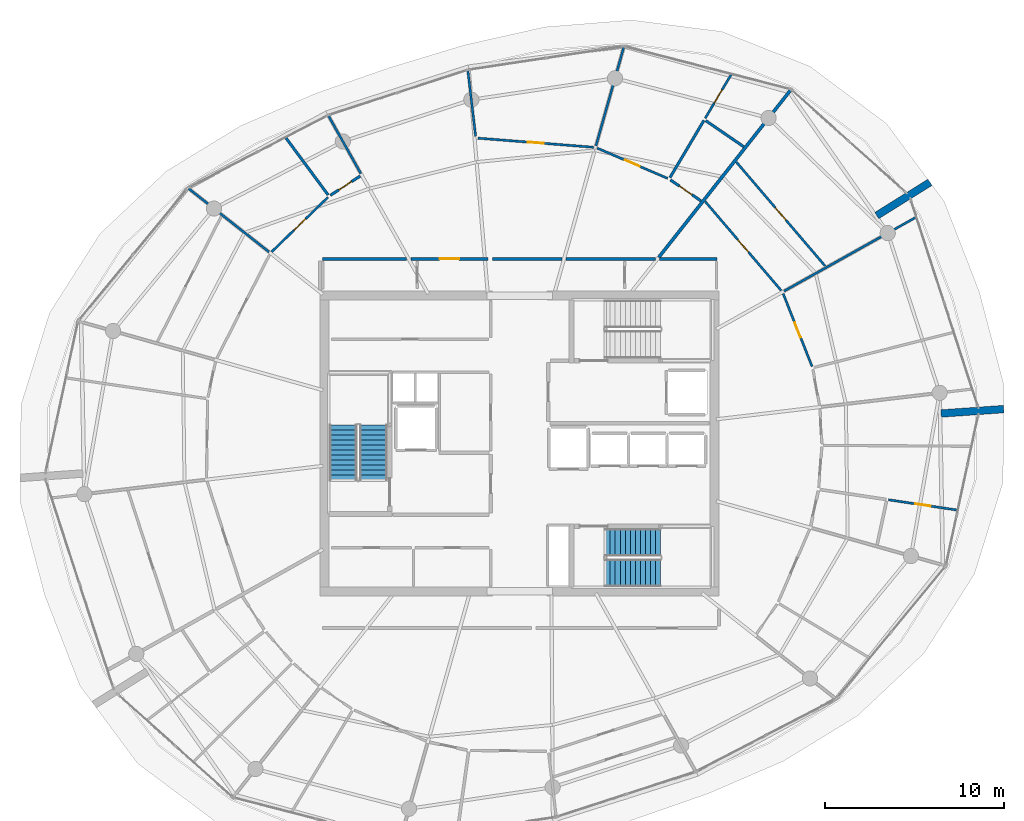
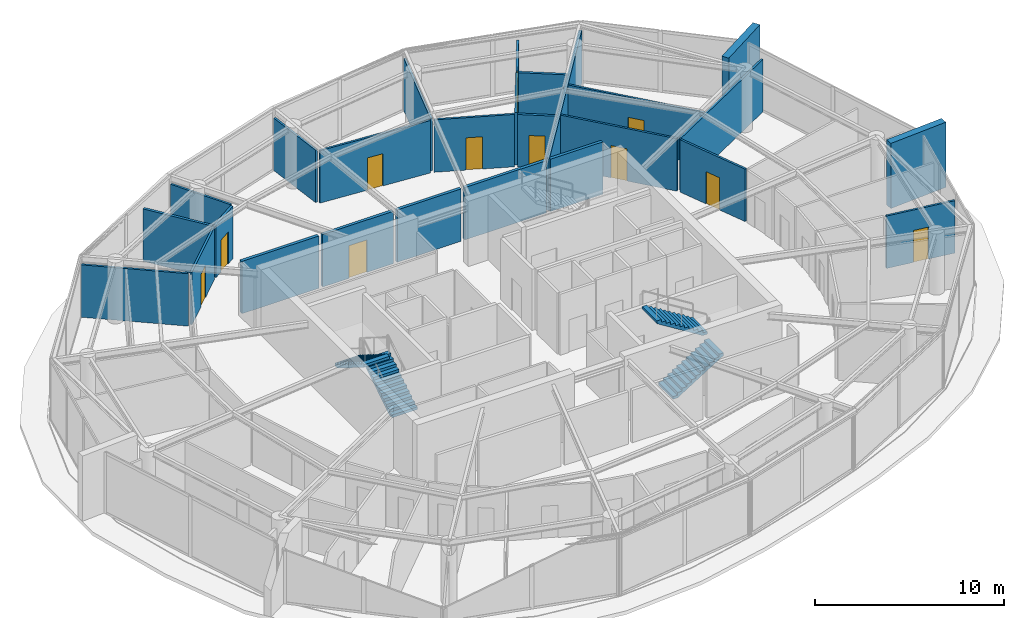
# One storey, part 14 of 16: 26 walls, 11 doors, 4 stair flights, 11 openings, 2 elements without a shape of their own.
"""IFC4 building model written with IfcOpenShell, lengths in metres."""

from ifc_helpers import new_model, si_unit, direction, frame, frame_2d, origin, place, context, subcontext, project, spatial, polyline, rectangle, outline, extrude, material, layer, layer_set, type_object, element, fill, aggregate, save


model = new_model("IFC4")

# Units and contexts
model_context = context("Model", 3, precision=1e-05, world=origin(), true_north=direction((0.0, 1.0)))
body_context = subcontext(model_context, "Body", "Model", "MODEL_VIEW")
ifc_project = project(units=[si_unit("LENGTHUNIT", "METRE"), si_unit("AREAUNIT", "SQUARE_METRE"), si_unit("VOLUMEUNIT", "CUBIC_METRE"), si_unit("PLANEANGLEUNIT", "RADIAN"), si_unit("MASSUNIT", "GRAM", prefix="KILO")], contexts=[model_context])

# Site, building, storey
site_placement = place(None, origin())
site = spatial("IfcSite", under=ifc_project, at=site_placement, CompositionType="ELEMENT")
building_placement = place(site_placement, origin())
building = spatial("IfcBuilding", under=site, at=building_placement, Name="Kazma Halo Residences", CompositionType="ELEMENT")
storey_placement = place(building_placement, frame((0.0, 0.0, 313.699951171875)))
storey = spatial("IfcBuildingStorey", under=building, at=storey_placement, Name="L79", CompositionType="ELEMENT", Elevation=313.699951171875)

# Walls
ifc_material_1 = material(Name="Pale Concrete C60/75", Category="concrete")
ifc_layer_1 = layer(ifc_material_1, 0.419921875)
ifc_layer_set_1 = layer_set([ifc_layer_1], Name="Pale Concrete C60/75")
wall_type_1 = type_object("IfcWallType", Name="WL-BLADE-420", PredefinedType="SOLIDWALL", material=ifc_layer_set_1)
for number, where, z_axis, x_axis, name in (
    (1, (68.3525390625, 54.7177734375, 0.0), (0.0, 0.0, 1.0), (0.848053161125, 0.529911158502, 0.0), "L79 pale concrete structural blade fin wall BW-01"),
    (2, (71.94091796875, 43.674072265625, 0.0), (0.0, 0.0, 1.0), (0.997564163539, 0.069754853754, 0.0), "L79 pale concrete structural blade fin wall BW-04"),
):
    element("IfcWall", number, at=place(storey_placement, frame(where, z_axis=z_axis, x_axis=x_axis)), inside=storey, type_object=wall_type_1, Name=name, PredefinedType="SOLIDWALL", context=body_context, shape_type="SweptSolid", body=[
        extrude(rectangle(XDim=3.5, YDim=0.419921875, at=frame_2d((1.75, 0.0))), origin(), (0.0, 0.0, 1.0), 4.199951171875),
    ])
ifc_material_2 = material(Name="Acoustic Twin-Stud Gypsum")
ifc_layer_2 = layer(ifc_material_2, 0.179931640625)
ifc_layer_set_2 = layer_set([ifc_layer_2], Name="Acoustic Twin-Stud Gypsum")
wall_type_2 = type_object("IfcWallType", Name="WL-DEM-180", PredefinedType="PARTITIONING", material=ifc_layer_set_2)
wall_1_placement = place(storey_placement, frame((56.18798828125, 52.386474609375, 0.0), z_axis=(0.0, 0.0, 1.0), x_axis=(0.619092742501, 0.78531788225, 0.0)))
element("IfcWall", 3, at=wall_1_placement, inside=storey, type_object=wall_type_2, Name="L79 apartment demising radial wall 01", PredefinedType="PARTITIONING", context=body_context, shape_type="SweptSolid", body=[
    extrude(rectangle(XDim=11.901123046875, YDim=0.179931640625, at=frame_2d((5.95068359375, 0.0))), origin(), (0.0, 0.0, 1.0), 3.380126953125),
])

# Wall, opening, door
wall_2_placement = place(storey_placement, frame((46.660888671875, 52.300048828125, 0.0), z_axis=(0.0, 0.0, 1.0), x_axis=(-1.0, 0.0, 0.0)))
wall_2 = element("IfcWall", 4, at=wall_2_placement, inside=storey, type_object=wall_type_2, Name="L79 Penthouse 1 entrance corridor wall", PredefinedType="PARTITIONING", context=body_context, shape_type="SweptSolid", body=[
    extrude(rectangle(XDim=4.30908203125, YDim=0.179931640625, at=frame_2d((2.154541015625, 0.0))), origin(), (0.0, 0.0, 1.0), 3.380126953125),
])
opening_1_placement = place(wall_2_placement, frame((1.6044921875, 0.0, 0.0)))
opening_1 = element("IfcOpeningElement", 5, at=opening_1_placement, cuts=wall_2, Name="Opening DA-1100", PredefinedType="OPENING", context=body_context, shape_type="SweptSolid", body=[
    extrude(rectangle(XDim=1.10009765625, YDim=2.10009765625, at=frame_2d((0.550048828125, 1.050048828125))), frame((0.0, 0.099853515625, 0.0), z_axis=(0.0, -1.0, 0.0), x_axis=(1.0, 0.0, 0.0)), (0.0, 0.0, 1.0), 0.199951171875),
])
ifc_material_3 = material(Name="Acoustic Walnut Fire Leaf")
door_type_1 = type_object("IfcDoorType", Name="DR-FD60-1100", OperationType="NOTDEFINED", PredefinedType="DOOR", material=ifc_material_3)
door_1_placement = place(opening_1_placement, origin())
door_1 = element("IfcDoor", 6, at=door_1_placement, inside=storey, type_object=door_type_1, Name="L79 Penthouse 1 entrance fire door", OperationType="SINGLE_SWING_LEFT", OverallHeight=2.10009765625, OverallWidth=1.10009765625, PredefinedType="DOOR", context=body_context, shape_type="SweptSolid", body=[
    extrude(rectangle(XDim=1.10009765625, YDim=2.10009765625, at=frame_2d((0.550048828125, 1.050048828125))), frame((0.0, 0.02490234375, 0.0), z_axis=(0.0, -1.0, 0.0), x_axis=(1.0, 0.0, 0.0)), (0.0, 0.0, 1.0), 0.050048828125),
])
fill(opening_1, door_1)

# Walls
wall_3_placement = place(storey_placement, frame((56.0, 52.300048828125, 0.0), z_axis=(0.0, 0.0, 1.0), x_axis=(-1.0, 0.0, 0.0)))
element("IfcWall", 7, at=wall_3_placement, inside=storey, type_object=wall_type_2, Name="L79 Penthouse 1 inner wall 1", PredefinedType="PARTITIONING", context=body_context, shape_type="SweptSolid", body=[
    extrude(rectangle(XDim=4.97509765625, YDim=0.179931640625, at=frame_2d((2.487548828125, 0.0))), origin(), (0.0, 0.0, 1.0), 3.380126953125),
])
wall_4_placement = place(storey_placement, frame((50.784912109375, 52.300048828125, 0.0), z_axis=(0.0, 0.0, 1.0), x_axis=(-1.0, 0.0, 0.0)))
element("IfcWall", 8, at=wall_4_placement, inside=storey, type_object=wall_type_2, Name="L79 Penthouse 1 inner wall 2", PredefinedType="PARTITIONING", context=body_context, shape_type="SweptSolid", body=[
    extrude(rectangle(XDim=3.884033203125, YDim=0.179931640625, at=frame_2d((1.94189453125, 0.0))), origin(), (0.0, 0.0, 1.0), 3.380126953125),
])
wall_5_placement = place(storey_placement, frame((42.11181640625, 52.300048828125, 0.0), z_axis=(0.0, 0.0, 1.0), x_axis=(-1.0, 0.0, 0.0)))
element("IfcWall", 9, at=wall_5_placement, inside=storey, type_object=wall_type_2, Name="L79 Penthouse 1 inner wall 4", PredefinedType="PARTITIONING", context=body_context, shape_type="SweptSolid", body=[
    extrude(rectangle(XDim=4.69189453125, YDim=0.179931640625, at=frame_2d((2.345947265625, 0.0))), origin(), (0.0, 0.0, 1.0), 3.380126953125),
])
wall_6_placement = place(storey_placement, frame((59.429931640625, 52.300048828125, 0.0), z_axis=(0.0, 0.0, 1.0), x_axis=(-1.0, 0.0, 0.0)))
element("IfcWall", 10, at=wall_6_placement, inside=storey, type_object=wall_type_2, Name="L79 Penthouse 2 inner wall 0", PredefinedType="PARTITIONING", context=body_context, shape_type="SweptSolid", body=[
    extrude(rectangle(XDim=3.18994140625, YDim=0.179931640625, at=frame_2d((1.594970703125, 0.0))), origin(), (0.0, 0.0, 1.0), 3.380126953125),
])

# Wall, opening, door
ifc_material_4 = material(Name="Gypsum Plasterboard Partition")
ifc_layer_3 = layer(ifc_material_4, 0.125)
ifc_layer_set_3 = layer_set([ifc_layer_3], Name="Gypsum Plasterboard Partition")
wall_type_3 = type_object("IfcWallType", Name="WL-PART-125", PredefinedType="PARTITIONING", material=ifc_layer_set_3)
wall_7_placement = place(storey_placement, frame((58.778076171875, 60.14306640625, 0.0), z_axis=(0.0, 0.0, 1.0), x_axis=(0.510741068581, 0.859734587454, 0.0)))
wall_7 = element("IfcWall", 11, at=wall_7_placement, inside=storey, type_object=wall_type_3, Name="L79 Penthouse 1 Utility Laundry Room partition wall", PredefinedType="PARTITIONING", context=body_context, shape_type="SweptSolid", body=[
    extrude(rectangle(XDim=2.84375, YDim=0.125, at=frame_2d((1.421875, 0.0))), origin(), (0.0, 0.0, 1.0), 3.380126953125),
])
opening_2_placement = place(wall_7_placement, frame((0.996826171875, 0.0, 0.0)))
opening_2 = element("IfcOpeningElement", 12, at=opening_2_placement, cuts=wall_7, Name="Opening DB-900", PredefinedType="OPENING", context=body_context, shape_type="SweptSolid", body=[
    extrude(rectangle(XDim=0.85009765625, YDim=2.06005859375, at=frame_2d((0.425048828125, 1.030029296875))), frame((0.0, 0.072509765625, 0.0), z_axis=(0.0, -1.0, 0.0), x_axis=(1.0, 0.0, 0.0)), (0.0, 0.0, 1.0), 0.14501953125),
])
ifc_material_5 = material(Name="Moisture-Sealed Timber Leaf", Category="wood")
door_type_2 = type_object("IfcDoorType", Name="DR-BTH-900", OperationType="NOTDEFINED", PredefinedType="DOOR", material=ifc_material_5)
door_2_placement = place(opening_2_placement, origin())
door_2 = element("IfcDoor", 13, at=door_2_placement, inside=storey, type_object=door_type_2, Name="L79 Penthouse 1 Utility Laundry Room door", OperationType="SINGLE_SWING_RIGHT", OverallHeight=2.06005859375, OverallWidth=0.85009765625, PredefinedType="DOOR", context=body_context, shape_type="SweptSolid", body=[
    extrude(rectangle(XDim=0.85009765625, YDim=2.06005859375, at=frame_2d((0.425048828125, 1.030029296875))), frame((0.0, 0.02490234375, 0.0), z_axis=(0.0, -1.0, 0.0), x_axis=(1.0, 0.0, 0.0)), (0.0, 0.0, 1.0), 0.050048828125),
])
fill(opening_2, door_2)

wall_8_placement = place(storey_placement, frame((56.68310546875, 56.791259765625, 0.0), z_axis=(0.0, 0.0, 1.0), x_axis=(-0.918926533299, 0.394428734246, 0.0)))
wall_8 = element("IfcWall", 14, at=wall_8_placement, inside=storey, type_object=wall_type_3, Name="L79 Penthouse 1 Gourmet Kitchen hall wall", PredefinedType="PARTITIONING", context=body_context, shape_type="SweptSolid", body=[
    extrude(rectangle(XDim=4.279541015625, YDim=0.125, at=frame_2d((2.1396484375, 0.0))), origin(), (0.0, 0.0, 1.0), 3.380126953125),
])
opening_3_placement = place(wall_8_placement, frame((1.689697265625, 0.0, 0.0)))
opening_3 = element("IfcOpeningElement", 15, at=opening_3_placement, cuts=wall_8, Name="Opening DI-950", PredefinedType="OPENING", context=body_context, shape_type="SweptSolid", body=[
    extrude(rectangle(XDim=0.89990234375, YDim=2.080078125, at=frame_2d((0.449951171875, 1.0400390625))), frame((0.0, 0.072509765625, 0.0), z_axis=(0.0, -1.0, 0.0), x_axis=(1.0, 0.0, 0.0)), (0.0, 0.0, 1.0), 0.14501953125),
])
ifc_material_6 = material(Name="Timber Veneer Flush Leaf", Category="wood")
door_type_3 = type_object("IfcDoorType", Name="DR-INT-950", OperationType="NOTDEFINED", PredefinedType="DOOR", material=ifc_material_6)
door_3_placement = place(opening_3_placement, origin())
door_3 = element("IfcDoor", 16, at=door_3_placement, inside=storey, type_object=door_type_3, Name="L79 Penthouse 1 Gourmet Kitchen door", OperationType="SINGLE_SWING_LEFT", OverallHeight=2.080078125, OverallWidth=0.89990234375, PredefinedType="DOOR", context=body_context, shape_type="SweptSolid", body=[
    extrude(rectangle(XDim=0.89990234375, YDim=2.080078125, at=frame_2d((0.449951171875, 1.0400390625))), frame((0.0, 0.02490234375, 0.0), z_axis=(0.0, -1.0, 0.0), x_axis=(1.0, 0.0, 0.0)), (0.0, 0.0, 1.0), 0.050048828125),
])
fill(opening_3, door_3)

# Walls
wall_9_placement = place(storey_placement, frame((52.685791015625, 58.61474609375, 0.0), z_axis=(0.0, 0.0, 1.0), x_axis=(0.271450045164, 0.962452530248, 0.0)))
element("IfcWall", 17, at=wall_9_placement, inside=storey, type_object=wall_type_3, Name="L79 Penthouse 1 radial partition 2", PredefinedType="PARTITIONING", context=body_context, shape_type="SweptSolid", body=[
    extrude(rectangle(XDim=5.72998046875, YDim=0.125, at=frame_2d((2.864990234375, 0.0))), origin(), (0.0, 0.0, 1.0), 3.380126953125),
])
wall_10_placement = place(storey_placement, frame((45.970947265625, 59.143310546875, 0.0), z_axis=(0.0, 0.0, 1.0), x_axis=(-0.117541965763, 0.99306791625, 0.0)))
element("IfcWall", 18, at=wall_10_placement, inside=storey, type_object=wall_type_3, Name="L79 Penthouse 1 living radial partition 2", PredefinedType="PARTITIONING", context=body_context, shape_type="SweptSolid", body=[
    extrude(rectangle(XDim=3.69921875, YDim=0.125, at=frame_2d((1.849609375, 0.0))), origin(), (0.0, 0.0, 1.0), 3.380126953125),
])

# Wall, opening, door
wall_11_placement = place(storey_placement, frame((52.549072265625, 58.527099609375, 0.0), z_axis=(0.0, 0.0, 1.0), x_axis=(-0.996915635348, 0.078480672772, 0.0)))
wall_11 = element("IfcWall", 19, at=wall_11_placement, inside=storey, type_object=wall_type_3, Name="L79 Penthouse 1 East Formal Dining Room gallery wall", PredefinedType="PARTITIONING", context=body_context, shape_type="SweptSolid", body=[
    extrude(rectangle(XDim=6.476806640625, YDim=0.125, at=frame_2d((3.23828125, 0.0))), origin(), (0.0, 0.0, 1.0), 3.380126953125),
])
opening_4_placement = place(wall_11_placement, frame((2.788330078125, 0.0, 0.0)))
opening_4 = element("IfcOpeningElement", 20, at=opening_4_placement, cuts=wall_11, Name="Opening DI-950", PredefinedType="OPENING", context=body_context, shape_type="SweptSolid", body=[
    extrude(rectangle(XDim=0.89990234375, YDim=2.080078125, at=frame_2d((0.449951171875, 1.0400390625))), frame((0.0, 0.072509765625, 0.0), z_axis=(0.0, -1.0, 0.0), x_axis=(1.0, 0.0, 0.0)), (0.0, 0.0, 1.0), 0.14501953125),
])
door_4_placement = place(opening_4_placement, origin())
door_4 = element("IfcDoor", 21, at=door_4_placement, inside=storey, type_object=door_type_3, Name="L79 Penthouse 1 East Formal Dining Room door", OperationType="SINGLE_SWING_RIGHT", OverallHeight=2.080078125, OverallWidth=0.89990234375, PredefinedType="DOOR", context=body_context, shape_type="SweptSolid", body=[
    extrude(rectangle(XDim=0.89990234375, YDim=2.080078125, at=frame_2d((0.449951171875, 1.0400390625))), frame((0.0, 0.02490234375, 0.0), z_axis=(0.0, -1.0, 0.0), x_axis=(1.0, 0.0, 0.0)), (0.0, 0.0, 1.0), 0.050048828125),
])
fill(opening_4, door_4)

# Wall
wall_12_placement = place(storey_placement, frame((39.56494140625, 57.061767578125, 0.0), z_axis=(0.0, 0.0, 1.0), x_axis=(-0.488615426152, 0.872499263797, 0.0)))
element("IfcWall", 22, at=wall_12_placement, inside=storey, type_object=wall_type_3, Name="L79 Penthouse 1 radial partition 4", PredefinedType="PARTITIONING", context=body_context, shape_type="SweptSolid", body=[
    extrude(rectangle(XDim=3.699462890625, YDim=0.125, at=frame_2d((1.849609375, 0.0))), origin(), (0.0, 0.0, 1.0), 3.380126953125),
])

# Wall, opening, door
wall_13_placement = place(storey_placement, frame((37.727783203125, 55.73486328125, 0.0), z_axis=(0.0, 0.0, 1.0), x_axis=(-0.717843655189, -0.696204342636, 0.0)))
wall_13 = element("IfcWall", 23, at=wall_13_placement, inside=storey, type_object=wall_type_3, Name="L79 Penthouse 1 North Master Bedroom hall wall", PredefinedType="PARTITIONING", context=body_context, shape_type="SweptSolid", body=[
    extrude(rectangle(XDim=4.3662109375, YDim=0.125, at=frame_2d((2.18310546875, 0.0))), origin(), (0.0, 0.0, 1.0), 3.380126953125),
])
opening_5_placement = place(wall_13_placement, frame((1.733154296875, 0.0, 0.0)))
opening_5 = element("IfcOpeningElement", 24, at=opening_5_placement, cuts=wall_13, Name="Opening DI-950", PredefinedType="OPENING", context=body_context, shape_type="SweptSolid", body=[
    extrude(rectangle(XDim=0.89990234375, YDim=2.080078125, at=frame_2d((0.449951171875, 1.0400390625))), frame((0.0, 0.072509765625, 0.0), z_axis=(0.0, -1.0, 0.0), x_axis=(1.0, 0.0, 0.0)), (0.0, 0.0, 1.0), 0.14501953125),
])
door_5_placement = place(opening_5_placement, origin())
door_5 = element("IfcDoor", 25, at=door_5_placement, inside=storey, type_object=door_type_3, Name="L79 Penthouse 1 North Master Bedroom door", OperationType="SINGLE_SWING_RIGHT", OverallHeight=2.080078125, OverallWidth=0.89990234375, PredefinedType="DOOR", context=body_context, shape_type="SweptSolid", body=[
    extrude(rectangle(XDim=0.89990234375, YDim=2.080078125, at=frame_2d((0.449951171875, 1.0400390625))), frame((0.0, 0.02490234375, 0.0), z_axis=(0.0, -1.0, 0.0), x_axis=(1.0, 0.0, 0.0)), (0.0, 0.0, 1.0), 0.050048828125),
])
fill(opening_5, door_5)

# Wall
wall_14_placement = place(storey_placement, frame((34.443115234375, 52.6875, 0.0), z_axis=(0.0, 0.0, 1.0), x_axis=(-0.785329715116, 0.61907773224, 0.0)))
element("IfcWall", 26, at=wall_14_placement, inside=storey, type_object=wall_type_3, Name="L79 Penthouse 1 radial partition 5", PredefinedType="PARTITIONING", context=body_context, shape_type="SweptSolid", body=[
    extrude(rectangle(XDim=5.72998046875, YDim=0.125, at=frame_2d((2.864990234375, 0.0))), origin(), (0.0, 0.0, 1.0), 3.380126953125),
])

# Wall, opening, door
wall_15_placement = place(storey_placement, frame((69.00244140625, 38.859375, 0.0), z_axis=(0.0, 0.0, 1.0), x_axis=(0.988996581297, -0.147938372921, 0.0)))
wall_15 = element("IfcWall", 27, at=wall_15_placement, inside=storey, type_object=wall_type_3, Name="L79 Penthouse 2 Gulf Walk-In Wardrobe partition wall", PredefinedType="PARTITIONING", context=body_context, shape_type="SweptSolid", body=[
    extrude(rectangle(XDim=3.8896484375, YDim=0.125, at=frame_2d((1.94482421875, 0.0))), origin(), (0.0, 0.0, 1.0), 3.380126953125),
])
opening_6_placement = place(wall_15_placement, frame((1.519775390625, 0.0, 0.0)))
opening_6 = element("IfcOpeningElement", 28, at=opening_6_placement, cuts=wall_15, Name="Opening DB-900", PredefinedType="OPENING", context=body_context, shape_type="SweptSolid", body=[
    extrude(rectangle(XDim=0.85009765625, YDim=2.06005859375, at=frame_2d((0.425048828125, 1.030029296875))), frame((0.0, 0.072509765625, 0.0), z_axis=(0.0, -1.0, 0.0), x_axis=(1.0, 0.0, 0.0)), (0.0, 0.0, 1.0), 0.14501953125),
])
door_6_placement = place(opening_6_placement, origin())
door_6 = element("IfcDoor", 29, at=door_6_placement, inside=storey, type_object=door_type_2, Name="L79 Penthouse 2 Gulf Walk-In Wardrobe door", OperationType="SINGLE_SWING_LEFT", OverallHeight=2.06005859375, OverallWidth=0.85009765625, PredefinedType="DOOR", context=body_context, shape_type="SweptSolid", body=[
    extrude(rectangle(XDim=0.85009765625, YDim=2.06005859375, at=frame_2d((0.425048828125, 1.030029296875))), frame((0.0, 0.02490234375, 0.0), z_axis=(0.0, -1.0, 0.0), x_axis=(1.0, 0.0, 0.0)), (0.0, 0.0, 1.0), 0.050048828125),
])
fill(opening_6, door_6)

wall_16_placement = place(storey_placement, frame((64.7431640625, 46.296630859375, 0.0), z_axis=(0.0, 0.0, 1.0), x_axis=(-0.369569971378, 0.929202903706, 0.0)))
wall_16 = element("IfcWall", 30, at=wall_16_placement, inside=storey, type_object=wall_type_3, Name="L79 Penthouse 2 West Formal Dining Room hall wall", PredefinedType="PARTITIONING", context=body_context, shape_type="SweptSolid", body=[
    extrude(rectangle(XDim=4.371337890625, YDim=0.125, at=frame_2d((2.185546875, 0.0))), origin(), (0.0, 0.0, 1.0), 3.380126953125),
])
opening_7_placement = place(wall_16_placement, frame((1.735595703125, 0.0, 0.0)))
opening_7 = element("IfcOpeningElement", 31, at=opening_7_placement, cuts=wall_16, Name="Opening DI-950", PredefinedType="OPENING", context=body_context, shape_type="SweptSolid", body=[
    extrude(rectangle(XDim=0.89990234375, YDim=2.080078125, at=frame_2d((0.449951171875, 1.0400390625))), frame((0.0, 0.072509765625, 0.0), z_axis=(0.0, -1.0, 0.0), x_axis=(1.0, 0.0, 0.0)), (0.0, 0.0, 1.0), 0.14501953125),
])
door_7_placement = place(opening_7_placement, origin())
door_7 = element("IfcDoor", 32, at=door_7_placement, inside=storey, type_object=door_type_3, Name="L79 Penthouse 2 West Formal Dining Room door", OperationType="SINGLE_SWING_RIGHT", OverallHeight=2.080078125, OverallWidth=0.89990234375, PredefinedType="DOOR", context=body_context, shape_type="SweptSolid", body=[
    extrude(rectangle(XDim=0.89990234375, YDim=2.080078125, at=frame_2d((0.449951171875, 1.0400390625))), frame((0.0, 0.02490234375, 0.0), z_axis=(0.0, -1.0, 0.0), x_axis=(1.0, 0.0, 0.0)), (0.0, 0.0, 1.0), 0.050048828125),
])
fill(opening_7, door_7)

# Wall
wall_17_placement = place(storey_placement, frame((63.177978515625, 50.5, 0.0), z_axis=(0.0, 0.0, 1.0), x_axis=(0.872495656661, 0.488621867201, 0.0)))
element("IfcWall", 33, at=wall_17_placement, inside=storey, type_object=wall_type_3, Name="L79 Penthouse 2 radial partition 0", PredefinedType="PARTITIONING", context=body_context, shape_type="SweptSolid", body=[
    extrude(rectangle(XDim=8.439697265625, YDim=0.125, at=frame_2d((4.2197265625, 0.0))), origin(), (0.0, 0.0, 1.0), 3.380126953125),
])

# Wall, opening, door
wall_18_placement = place(storey_placement, frame((63.019287109375, 50.534912109375, 0.0), z_axis=(0.0, 0.0, 1.0), x_axis=(-0.649450715324, 0.760403687764, 0.0)))
wall_18 = element("IfcWall", 34, at=wall_18_placement, inside=storey, type_object=wall_type_3, Name="L79 Penthouse 2 North Study hall wall", PredefinedType="PARTITIONING", context=body_context, shape_type="SweptSolid", body=[
    extrude(rectangle(XDim=6.528564453125, YDim=0.125, at=frame_2d((3.26416015625, 0.0))), origin(), (0.0, 0.0, 1.0), 3.380126953125),
])
opening_8_placement = place(wall_18_placement, frame((2.814208984375, 0.0, 0.0)))
opening_8 = element("IfcOpeningElement", 35, at=opening_8_placement, cuts=wall_18, Name="Opening DI-950", PredefinedType="OPENING", context=body_context, shape_type="SweptSolid", body=[
    extrude(rectangle(XDim=0.89990234375, YDim=2.080078125, at=frame_2d((0.449951171875, 1.0400390625))), frame((0.0, 0.072509765625, 0.0), z_axis=(0.0, -1.0, 0.0), x_axis=(1.0, 0.0, 0.0)), (0.0, 0.0, 1.0), 0.14501953125),
])
door_8_placement = place(opening_8_placement, origin())
door_8 = element("IfcDoor", 36, at=door_8_placement, inside=storey, type_object=door_type_3, Name="L79 Penthouse 2 North Study door", OperationType="SINGLE_SWING_RIGHT", OverallHeight=2.080078125, OverallWidth=0.89990234375, PredefinedType="DOOR", context=body_context, shape_type="SweptSolid", body=[
    extrude(rectangle(XDim=0.89990234375, YDim=2.080078125, at=frame_2d((0.449951171875, 1.0400390625))), frame((0.0, 0.02490234375, 0.0), z_axis=(0.0, -1.0, 0.0), x_axis=(1.0, 0.0, 0.0)), (0.0, 0.0, 1.0), 0.050048828125),
])
fill(opening_8, door_8)

wall_19_placement = place(storey_placement, frame((65.466552734375, 51.905517578125, 0.0), z_axis=(0.0, 0.0, 1.0), x_axis=(-0.649439942486, 0.760412888571, 0.0)))
wall_19 = element("IfcWall", 37, at=wall_19_placement, inside=storey, type_object=wall_type_3, Name="L79 Penthouse 2 South Master Bedroom divider wall", PredefinedType="PARTITIONING", context=body_context, shape_type="SweptSolid", body=[
    extrude(rectangle(XDim=7.623046875, YDim=0.125, at=frame_2d((3.8115234375, 0.0))), origin(), (0.0, 0.0, 1.0), 3.380126953125),
])
opening_9_placement = place(wall_19_placement, frame((3.361572265625, 0.0, 0.0)))
opening_9 = element("IfcOpeningElement", 38, at=opening_9_placement, cuts=wall_19, Name="Opening DI-950", PredefinedType="OPENING", context=body_context, shape_type="SweptSolid", body=[
    extrude(rectangle(XDim=0.89990234375, YDim=2.080078125, at=frame_2d((0.449951171875, 1.0400390625))), frame((0.0, 0.072509765625, 0.0), z_axis=(0.0, -1.0, 0.0), x_axis=(1.0, 0.0, 0.0)), (0.0, 0.0, 1.0), 0.14501953125),
])
door_9_placement = place(opening_9_placement, origin())
door_9 = element("IfcDoor", 39, at=door_9_placement, inside=storey, type_object=door_type_3, Name="L79 Penthouse 2 South Master Bedroom door", OperationType="SINGLE_SWING_LEFT", OverallHeight=2.080078125, OverallWidth=0.89990234375, PredefinedType="DOOR", context=body_context, shape_type="SweptSolid", body=[
    extrude(rectangle(XDim=0.89990234375, YDim=2.080078125, at=frame_2d((0.449951171875, 1.0400390625))), frame((0.0, 0.02490234375, 0.0), z_axis=(0.0, -1.0, 0.0), x_axis=(1.0, 0.0, 0.0)), (0.0, 0.0, 1.0), 0.050048828125),
])
fill(opening_9, door_9)

ifc_material_7 = material(Name="Moisture-Resistant Gypsum")
ifc_layer_4 = layer(ifc_material_7, 0.14990234375)
ifc_layer_set_4 = layer_set([ifc_layer_4], Name="Moisture-Resistant Gypsum")
wall_type_4 = type_object("IfcWallType", Name="WL-WET-150", PredefinedType="PARTITIONING", material=ifc_layer_set_4)
wall_20_placement = place(storey_placement, frame((58.543212890625, 55.534912109375, 0.0), z_axis=(0.0, 0.0, 1.0), x_axis=(-0.824355515216, 0.566072419865, 0.0)))
wall_20 = element("IfcWall", 40, at=wall_20_placement, inside=storey, type_object=wall_type_4, Name="L79 Penthouse 1 Guest Bathroom hall wall", PredefinedType="PARTITIONING", context=body_context, shape_type="SweptSolid", body=[
    extrude(rectangle(XDim=2.06640625, YDim=0.14990234375, at=frame_2d((1.033203125, 0.0))), origin(), (0.0, 0.0, 1.0), 3.380126953125),
])
opening_10_placement = place(wall_20_placement, frame((0.608154296875, 0.0, 0.0)))
opening_10 = element("IfcOpeningElement", 41, at=opening_10_placement, cuts=wall_20, Name="Opening DB-900", PredefinedType="OPENING", context=body_context, shape_type="SweptSolid", body=[
    extrude(rectangle(XDim=0.85009765625, YDim=2.06005859375, at=frame_2d((0.425048828125, 1.030029296875))), frame((0.0, 0.0849609375, 0.0), z_axis=(0.0, -1.0, 0.0), x_axis=(1.0, 0.0, 0.0)), (0.0, 0.0, 1.0), 0.169921875),
])
door_10_placement = place(opening_10_placement, origin())
door_10 = element("IfcDoor", 42, at=door_10_placement, inside=storey, type_object=door_type_2, Name="L79 Penthouse 1 Guest Bathroom door", OperationType="SINGLE_SWING_LEFT", OverallHeight=2.06005859375, OverallWidth=0.85009765625, PredefinedType="DOOR", context=body_context, shape_type="SweptSolid", body=[
    extrude(rectangle(XDim=0.85009765625, YDim=2.06005859375, at=frame_2d((0.425048828125, 1.030029296875))), frame((0.0, 0.02490234375, 0.0), z_axis=(0.0, -1.0, 0.0), x_axis=(1.0, 0.0, 0.0)), (0.0, 0.0, 1.0), 0.050048828125),
])
fill(opening_10, door_10)

# Walls
wall_21_placement = place(storey_placement, frame((60.926513671875, 58.55859375, 0.0), z_axis=(0.0, 0.0, 1.0), x_axis=(-0.824349211277, 0.566081600007, 0.0)))
element("IfcWall", 43, at=wall_21_placement, inside=storey, type_object=wall_type_4, Name="L79 Penthouse 1 Guest Bathroom back wall", PredefinedType="PARTITIONING", context=body_context, shape_type="SweptSolid", body=[
    extrude(rectangle(XDim=2.572265625, YDim=0.14990234375, at=frame_2d((1.2861328125, 0.0))), origin(), (0.0, 0.0, 1.0), 3.380126953125),
])
wall_22_placement = place(storey_placement, frame((56.811767578125, 56.8330078125, 0.0), z_axis=(0.0, 0.0, 1.0), x_axis=(0.510726768545, 0.859743082491, 0.0)))
element("IfcWall", 44, at=wall_22_placement, inside=storey, type_object=wall_type_4, Name="L79 Penthouse 1 Guest Bathroom side wall", PredefinedType="PARTITIONING", context=body_context, shape_type="SweptSolid", body=[
    extrude(rectangle(XDim=3.719970703125, YDim=0.14990234375, at=frame_2d((1.85986328125, 0.0))), origin(), (0.0, 0.0, 1.0), 3.380126953125),
])

# Wall, opening, door
wall_23_placement = place(storey_placement, frame((39.52978515625, 56.92041015625, 0.0), z_axis=(0.0, 0.0, 1.0), x_axis=(-0.839824942878, -0.542857315802, 0.0)))
wall_23 = element("IfcWall", 45, at=wall_23_placement, inside=storey, type_object=wall_type_4, Name="L79 Penthouse 1 West En-Suite Bathroom hall wall", PredefinedType="PARTITIONING", context=body_context, shape_type="SweptSolid", body=[
    extrude(rectangle(XDim=1.978759765625, YDim=0.14990234375, at=frame_2d((0.9892578125, 0.0))), origin(), (0.0, 0.0, 1.0), 3.380126953125),
])
opening_11_placement = place(wall_23_placement, frame((0.564453125, 0.0, 0.0)))
opening_11 = element("IfcOpeningElement", 46, at=opening_11_placement, cuts=wall_23, Name="Opening DB-900", PredefinedType="OPENING", context=body_context, shape_type="SweptSolid", body=[
    extrude(rectangle(XDim=0.85009765625, YDim=2.06005859375, at=frame_2d((0.425048828125, 1.030029296875))), frame((0.0, 0.0849609375, 0.0), z_axis=(0.0, -1.0, 0.0), x_axis=(1.0, 0.0, 0.0)), (0.0, 0.0, 1.0), 0.169921875),
])
door_11_placement = place(opening_11_placement, origin())
door_11 = element("IfcDoor", 47, at=door_11_placement, inside=storey, type_object=door_type_2, Name="L79 Penthouse 1 West En-Suite Bathroom door", OperationType="SINGLE_SWING_RIGHT", OverallHeight=2.06005859375, OverallWidth=0.85009765625, PredefinedType="DOOR", context=body_context, shape_type="SweptSolid", body=[
    extrude(rectangle(XDim=0.85009765625, YDim=2.06005859375, at=frame_2d((0.425048828125, 1.030029296875))), frame((0.0, 0.02490234375, 0.0), z_axis=(0.0, -1.0, 0.0), x_axis=(1.0, 0.0, 0.0)), (0.0, 0.0, 1.0), 0.050048828125),
])
fill(opening_11, door_11)

# Wall
wall_24_placement = place(storey_placement, frame((37.73876953125, 55.869873046875, 0.0), z_axis=(0.0, 0.0, 1.0), x_axis=(-0.594773749171, 0.803893144203, 0.0)))
element("IfcWall", 48, at=wall_24_placement, inside=storey, type_object=wall_type_4, Name="L79 Penthouse 1 West En-Suite Bathroom side wall", PredefinedType="PARTITIONING", context=body_context, shape_type="SweptSolid", body=[
    extrude(rectangle(XDim=3.963623046875, YDim=0.14990234375, at=frame_2d((1.98193359375, 0.0))), origin(), (0.0, 0.0, 1.0), 3.380126953125),
])

# Stair, stair flights
ifc_material_8 = material(Name="Concrete C50/60", Category="concrete")
stair_type = type_object("IfcStairType", Name="STR-RES2", PredefinedType="HALF_TURN_STAIR", material=ifc_material_8)
stair_1_placement = place(storey_placement, origin())
stair_1 = element("IfcStair", 49, at=stair_1_placement, inside=storey, type_object=stair_type, Name="L79 Core exit stair ST-01", PredefinedType="HALF_TURN_STAIR")
stair_flight_type = type_object("IfcStairFlightType", Name="STR-RES2-FLT", PredefinedType="STRAIGHT", material=ifc_material_8)
stair_flight_1_placement = place(storey_placement, frame((40.27490234375, 39.949951171875, 0.0), z_axis=(0.0, 0.0, 1.0), x_axis=(0.0, 1.0, 0.0)))
stair_flight_1 = element("IfcStairFlight", 50, at=stair_flight_1_placement, type_object=stair_flight_type, Name="ST-01 flight 1", NumberOfRisers=12, NumberOfTreads=11, PredefinedType="STRAIGHT", RiserHeight=0.175, TreadLength=0.28, context=body_context, shape_type="SweptSolid", body=[
    extrude(outline(polyline([(0.0, 0.0), (0.0, 0.175048828125), (0.280029296875, 0.175048828125), (0.280029296875, 0.35009765625), (0.56005859375, 0.35009765625), (0.56005859375, 0.52490234375), (0.840087890625, 0.52490234375), (0.840087890625, 0.699951171875), (1.1201171875, 0.699951171875), (1.1201171875, 0.875), (1.39990234375, 0.875), (1.39990234375, 1.050048828125), (1.679931640625, 1.050048828125), (1.679931640625, 1.22509765625), (1.9599609375, 1.22509765625), (1.9599609375, 1.39990234375), (2.239990234375, 1.39990234375), (2.239990234375, 1.574951171875), (2.52001953125, 1.574951171875), (2.52001953125, 1.75), (2.800048828125, 1.75), (2.800048828125, 1.925048828125), (3.080078125, 1.925048828125), (3.080078125, 2.10009765625), (3.080078125, 1.748291015625), (0.28271484375, 0.0), (0.0, 0.0)])), frame((0.0, 0.77490234375, 0.0), z_axis=(0.0, -1.0, 0.0), x_axis=(1.0, 0.0, 0.0)), (0.0, 0.0, 1.0), 1.550048828125),
])
stair_flight_2_placement = place(storey_placement, frame((38.574951171875, 43.030029296875, 2.10009765625), z_axis=(0.0, 0.0, 1.0), x_axis=(0.0, -1.0, 0.0)))
stair_flight_2 = element("IfcStairFlight", 51, at=stair_flight_2_placement, type_object=stair_flight_type, Name="ST-01 flight 2", NumberOfRisers=12, NumberOfTreads=11, PredefinedType="STRAIGHT", RiserHeight=0.175, TreadLength=0.28, context=body_context, shape_type="SweptSolid", body=[
    extrude(outline(polyline([(0.0, 0.0), (0.0, 0.175048828125), (0.280029296875, 0.175048828125), (0.280029296875, 0.35009765625), (0.56005859375, 0.35009765625), (0.56005859375, 0.52490234375), (0.840087890625, 0.52490234375), (0.840087890625, 0.699951171875), (1.1201171875, 0.699951171875), (1.1201171875, 0.875), (1.39990234375, 0.875), (1.39990234375, 1.050048828125), (1.679931640625, 1.050048828125), (1.679931640625, 1.22509765625), (1.9599609375, 1.22509765625), (1.9599609375, 1.39990234375), (2.239990234375, 1.39990234375), (2.239990234375, 1.574951171875), (2.52001953125, 1.574951171875), (2.52001953125, 1.75), (2.800048828125, 1.75), (2.800048828125, 1.925048828125), (3.080078125, 1.925048828125), (3.080078125, 2.10009765625), (3.080078125, 1.748291015625), (0.28271484375, 0.0), (0.0, 0.0)])), frame((0.0, 0.77490234375, 0.0), z_axis=(0.0, -1.0, 0.0), x_axis=(1.0, 0.0, 0.0)), (0.0, 0.0, 1.0), 1.550048828125),
])
aggregate(stair_1, [stair_flight_1, stair_flight_2])

stair_2_placement = place(storey_placement, origin())
stair_2 = element("IfcStair", 52, at=stair_2_placement, inside=storey, type_object=stair_type, Name="L79 Core exit stair ST-03", PredefinedType="HALF_TURN_STAIR")
stair_flight_3_placement = place(storey_placement, frame((53.199951171875, 34.77490234375, 0.0), z_axis=(0.0, 0.0, 1.0), x_axis=(1.0, 0.0, 0.0)))
stair_flight_3 = element("IfcStairFlight", 53, at=stair_flight_3_placement, type_object=stair_flight_type, Name="ST-03 flight 1", NumberOfRisers=12, NumberOfTreads=11, PredefinedType="STRAIGHT", RiserHeight=0.175, TreadLength=0.28, context=body_context, shape_type="SweptSolid", body=[
    extrude(outline(polyline([(0.0, 0.0), (0.0, 0.175048828125), (0.280029296875, 0.175048828125), (0.280029296875, 0.35009765625), (0.56005859375, 0.35009765625), (0.56005859375, 0.52490234375), (0.840087890625, 0.52490234375), (0.840087890625, 0.699951171875), (1.1201171875, 0.699951171875), (1.1201171875, 0.875), (1.39990234375, 0.875), (1.39990234375, 1.050048828125), (1.679931640625, 1.050048828125), (1.679931640625, 1.22509765625), (1.9599609375, 1.22509765625), (1.9599609375, 1.39990234375), (2.239990234375, 1.39990234375), (2.239990234375, 1.574951171875), (2.52001953125, 1.574951171875), (2.52001953125, 1.75), (2.800048828125, 1.75), (2.800048828125, 1.925048828125), (3.080078125, 1.925048828125), (3.080078125, 2.10009765625), (3.080078125, 1.748291015625), (0.28271484375, 0.0), (0.0, 0.0)])), frame((0.0, 0.77490234375, 0.0), z_axis=(0.0, -1.0, 0.0), x_axis=(1.0, 0.0, 0.0)), (0.0, 0.0, 1.0), 1.550048828125),
])
stair_flight_4_placement = place(storey_placement, frame((56.280029296875, 36.47509765625, 2.10009765625), z_axis=(0.0, 0.0, 1.0), x_axis=(-1.0, 0.0, 0.0)))
stair_flight_4 = element("IfcStairFlight", 54, at=stair_flight_4_placement, type_object=stair_flight_type, Name="ST-03 flight 2", NumberOfRisers=12, NumberOfTreads=11, PredefinedType="STRAIGHT", RiserHeight=0.175, TreadLength=0.28, context=body_context, shape_type="SweptSolid", body=[
    extrude(outline(polyline([(0.0, 0.0), (0.0, 0.175048828125), (0.280029296875, 0.175048828125), (0.280029296875, 0.35009765625), (0.56005859375, 0.35009765625), (0.56005859375, 0.52490234375), (0.840087890625, 0.52490234375), (0.840087890625, 0.699951171875), (1.1201171875, 0.699951171875), (1.1201171875, 0.875), (1.39990234375, 0.875), (1.39990234375, 1.050048828125), (1.679931640625, 1.050048828125), (1.679931640625, 1.22509765625), (1.9599609375, 1.22509765625), (1.9599609375, 1.39990234375), (2.239990234375, 1.39990234375), (2.239990234375, 1.574951171875), (2.52001953125, 1.574951171875), (2.52001953125, 1.75), (2.800048828125, 1.75), (2.800048828125, 1.925048828125), (3.080078125, 1.925048828125), (3.080078125, 2.10009765625), (3.080078125, 1.748291015625), (0.28271484375, 0.0), (0.0, 0.0)])), frame((0.0, 0.77490234375, 0.0), z_axis=(0.0, -1.0, 0.0), x_axis=(1.0, 0.0, 0.0)), (0.0, 0.0, 1.0), 1.550048828125),
])
aggregate(stair_2, [stair_flight_3, stair_flight_4])

save(model, "model.ifc")
